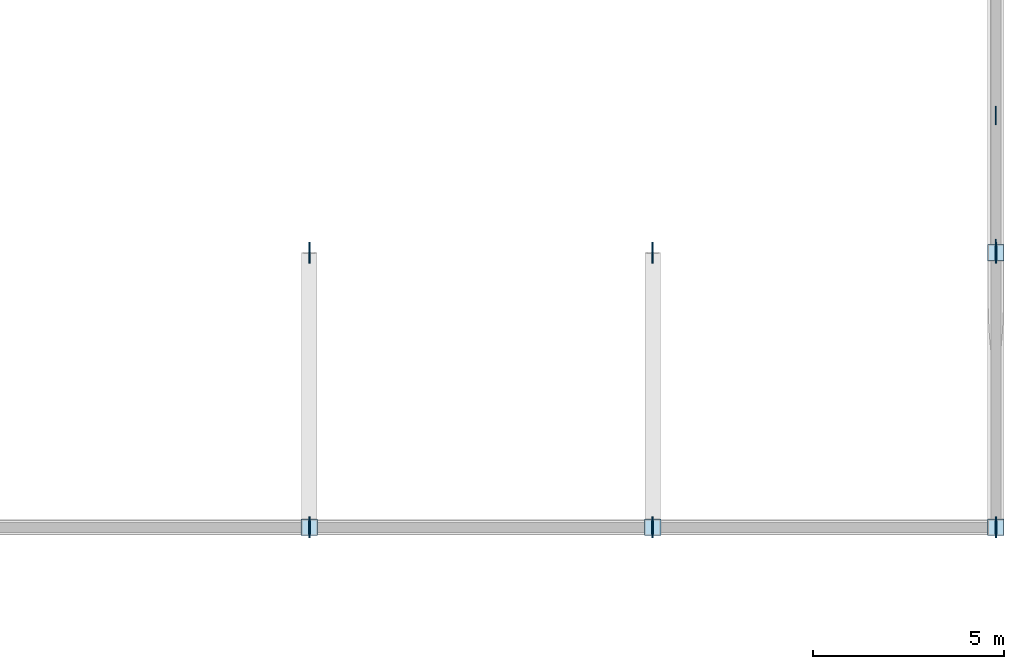
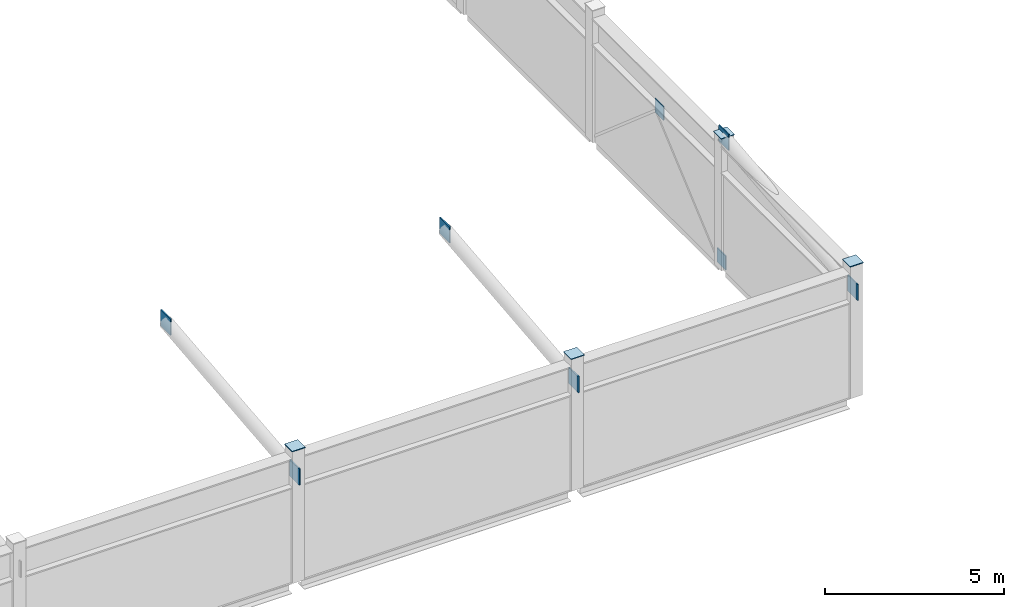
# One storey, part 94 of 124: 12 plates.
"""IFC4 building model written with IfcOpenShell, lengths in metres."""

from ifc_helpers import new_model, si_unit, direction, frame, origin, origin_2d, place, context, subcontext, project, spatial, rectangle, extrude, material, layer, layer_set, type_object, element, save


model = new_model("IFC4")

# Units and contexts
model_context = context("Model", 3, precision=1e-05, world=origin(), true_north=direction((0.0, 1.0)))
body_context = subcontext(model_context, "Body", "Model", "MODEL_VIEW")
ifc_project = project(units=[si_unit("LENGTHUNIT", "METRE"), si_unit("AREAUNIT", "SQUARE_METRE"), si_unit("VOLUMEUNIT", "CUBIC_METRE"), si_unit("PLANEANGLEUNIT", "RADIAN"), si_unit("MASSUNIT", "GRAM", prefix="KILO")], contexts=[model_context])

# Site, building, storey
site_placement = place(None, origin())
site = spatial("IfcSite", under=ifc_project, at=site_placement, CompositionType="ELEMENT")
building_placement = place(site_placement, origin())
building = spatial("IfcBuilding", under=site, at=building_placement, Name="Celestram Park Convention Centre", CompositionType="ELEMENT")
storey_placement = place(building_placement, frame((0.0, 0.0, 15.300048828125)))
storey = spatial("IfcBuildingStorey", under=building, at=storey_placement, Name="L03", CompositionType="ELEMENT", Elevation=15.300048828125)

# Plates
ifc_material = material(Name="Steel ASTM A572 Grade 50", Category="steel")
ifc_layer_1 = layer(ifc_material, 0.02490234375)
ifc_layer_set_1 = layer_set([ifc_layer_1], Name="Steel ASTM A572 Grade 50")
plate_type_1 = type_object("IfcPlateType", Name="STR-PLT-EC400", PredefinedType="USERDEFINED", material=ifc_layer_set_1)
for number, where, z_axis, x_axis, name in (
    (1, (198.0, 115.199951171875, 4.49951171875), (0.0, 0.0, 1.0), (1.0, 0.0, 0.0), "HSS column end closure cap plate EC-L03-154"),
    (2, (207.0, 115.199951171875, 4.49951171875), (0.0, 0.0, 1.0), (1.0, 0.0, 0.0), "HSS column end closure cap plate EC-L03-158"),
    (3, (216.0, 115.199951171875, 4.49951171875), (0.0, 0.0, 1.0), (1.0, 0.0, 0.0), "HSS column end closure cap plate EC-L03-162"),
    (4, (216.0, 122.39990234375, 4.49951171875), (0.0, 0.0, 1.0), (1.0, 0.0, 0.0), "HSS column end closure cap plate EC-L03-164"),
):
    element("IfcPlate", number, at=place(storey_placement, frame(where, z_axis=z_axis, x_axis=x_axis)), inside=storey, type_object=plate_type_1, Name=name, ObjectType="GUSSET_PLATE", PredefinedType="USERDEFINED", context=body_context, shape_type="SweptSolid", body=[
        extrude(rectangle(XDim=0.429931640625, YDim=0.429931640625, at=origin_2d()), origin(), (0.0, 0.0, 1.0), 0.02490234375),
    ])
ifc_layer_2 = layer(ifc_material, 0.031982421875)
ifc_layer_set_2 = layer_set([ifc_layer_2], Name="Steel ASTM A572 Grade 50")
plate_type_2 = type_object("IfcPlateType", Name="STR-PLT-GP32", PredefinedType="USERDEFINED", material=ifc_layer_set_2)
for number, where, z_axis, x_axis, name in (
    (5, (216.0, 126.0, 2.909912109375), (0.0, 0.0, 1.0), (0.0, 1.0, 0.0), "Chevron brace apex gusset GP-L03-529"),
    (6, (216.0, 122.52001953125, -0.090087890625), (0.0, 0.0, 1.0), (0.0, 1.0, 0.0), "Chevron brace base gusset GP-L03-530"),
):
    element("IfcPlate", number, at=place(storey_placement, frame(where, z_axis=z_axis, x_axis=x_axis)), inside=storey, type_object=plate_type_2, Name=name, ObjectType="GUSSET_PLATE", PredefinedType="USERDEFINED", context=body_context, shape_type="SweptSolid", body=[
        extrude(rectangle(XDim=0.47998046875, YDim=0.031982421875, at=origin_2d()), origin(), (0.0, 0.0, 1.0), 0.47998046875),
    ])
ifc_layer_3 = layer(ifc_material, 0.0400390625)
ifc_layer_set_3 = layer_set([ifc_layer_3], Name="Steel ASTM A572 Grade 50")
plate_type_3 = type_object("IfcPlateType", Name="STR-PLT-GP40", PredefinedType="USERDEFINED", material=ifc_layer_set_3)
for number, where, z_axis, x_axis, name in (
    (7, (198.0, 115.199951171875, 3.3388671875), (0.0, 0.0, 1.0), (0.0, 1.0, 0.0), "V2 truss node gusset plate"),
    (8, (198.0, 122.39990234375, 4.083984375), (0.0, 0.0, 1.0), (0.0, 1.0, 0.0), "V2 truss node gusset plate"),
    (9, (207.0, 115.199951171875, 3.3388671875), (0.0, 0.0, 1.0), (0.0, 1.0, 0.0), "V2 truss node gusset plate"),
    (10, (207.0, 122.39990234375, 4.083984375), (0.0, 0.0, 1.0), (0.0, 1.0, 0.0), "V2 truss node gusset plate"),
    (11, (216.0, 115.199951171875, 3.3388671875), (0.0, 0.0, 1.0), (0.0, 1.0, 0.0), "V2 truss node gusset plate"),
    (12, (216.0, 122.39990234375, 4.083984375), (0.0, 0.0, 1.0), (0.0, 1.0, 0.0), "V2 truss node gusset plate"),
):
    element("IfcPlate", number, at=place(storey_placement, frame(where, z_axis=z_axis, x_axis=x_axis)), inside=storey, type_object=plate_type_3, Name=name, ObjectType="GUSSET_PLATE", PredefinedType="USERDEFINED", context=body_context, shape_type="SweptSolid", body=[
        extrude(rectangle(XDim=0.550048828125, YDim=0.0400390625, at=origin_2d()), origin(), (0.0, 0.0, 1.0), 0.550048828125),
    ])

save(model, "model.ifc")
